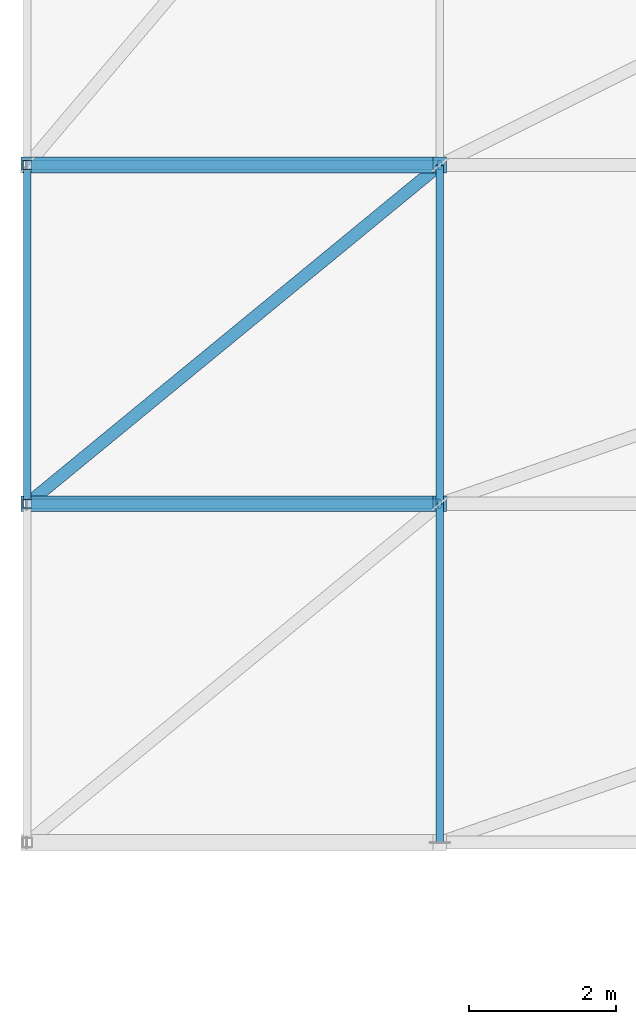
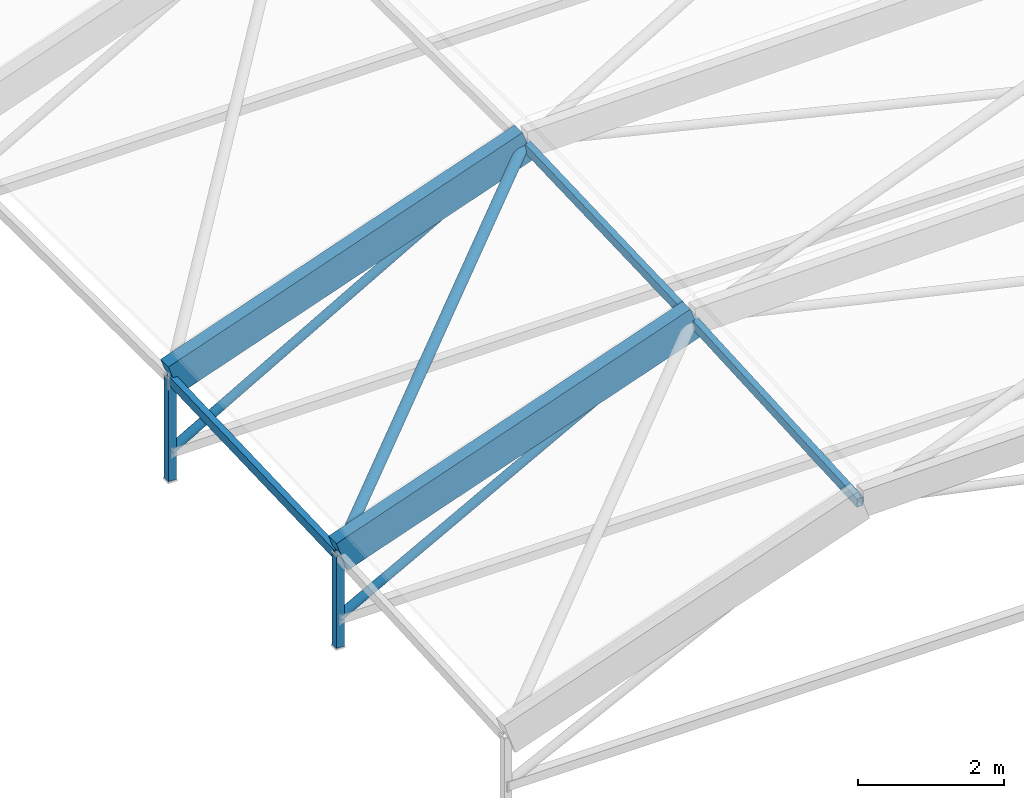
# One storey, part 30 of 134: 10 members.
"""IFC4 building model written with IfcOpenShell, lengths in metres."""

from ifc_helpers import new_model, si_unit, direction, frame, origin, origin_2d, place, context, subcontext, project, spatial, rectangle, hollow_rectangle, hollow_circle, extrude, material, material_profile, profile_set, type_object, element, save


model = new_model("IFC4")

# Units and contexts
model_context = context("Model", 3, precision=1e-05, world=origin(), true_north=direction((0.0, 1.0)))
body_context = subcontext(model_context, "Body", "Model", "MODEL_VIEW")
ifc_project = project(units=[si_unit("LENGTHUNIT", "METRE"), si_unit("AREAUNIT", "SQUARE_METRE"), si_unit("VOLUMEUNIT", "CUBIC_METRE"), si_unit("PLANEANGLEUNIT", "RADIAN"), si_unit("MASSUNIT", "GRAM", prefix="KILO")], contexts=[model_context])

# Site, building, storey
site_placement = place(None, origin())
site = spatial("IfcSite", under=ifc_project, at=site_placement, CompositionType="ELEMENT")
building_placement = place(site_placement, origin())
building = spatial("IfcBuilding", under=site, at=building_placement, Name="Karori Crest Natural Sciences Institute", CompositionType="ELEMENT")
storey_placement = place(building_placement, frame((0.0, 0.0, 21.699951171875)))
storey = spatial("IfcBuildingStorey", under=building, at=storey_placement, Name="L05", CompositionType="ELEMENT", Elevation=21.699951171875)

# Members
ifc_material_1 = material(Name="Hollow structural steel AS/NZS 1163 Grade C350", Category="steel")
ifc_material_profile_1 = material_profile(ifc_material_1, hollow_circle(Radius=0.084228515625, WallThickness=0.007080078125, at=origin_2d()), Name="CHS168.3x7.1")
ifc_profile_set_1 = profile_set([ifc_material_profile_1], Name="Hollow structural steel AS/NZS 1163 Grade C350")
member_type_1 = type_object("IfcMemberType", Name="MT-03", PredefinedType="BRACE", material=ifc_profile_set_1)
member_1_placement = place(storey_placement, frame((1.800048828125, 35.800048828125, 1.166748046875), z_axis=(0.741526696798, 0.609107751422, 0.281293272391), x_axis=(-0.634737268073, 0.772728024935, 0.0)))
element("IfcMember", 1, at=member_1_placement, inside=storey, type_object=member_type_1, Name="Diagonal Brace M-0373", PredefinedType="BRACE", context=body_context, shape_type="SweptSolid", body=[
    extrude(hollow_circle(Radius=0.084228515625, WallThickness=0.007080078125, at=origin_2d()), origin(), (0.0, 0.0, 1.0), 7.5517578125),
])
ifc_material_profile_2 = material_profile(ifc_material_1, hollow_rectangle(XDim=0.10009765625, YDim=0.14990234375, WallThickness=0.006103515625, at=origin_2d()), Name="RHS150x100x6")
ifc_profile_set_2 = profile_set([ifc_material_profile_2], Name="Hollow structural steel AS/NZS 1163 Grade C350")
member_type_2 = type_object("IfcMemberType", Name="MT-11", PredefinedType="PURLIN", material=ifc_profile_set_2)
member_2_placement = place(storey_placement, frame((7.39990234375, 31.199951171875, 2.869384765625), z_axis=(0.0, 0.998447936655, 0.055693067691), x_axis=(-1.0, 0.0, 0.0)))
element("IfcMember", 2, at=member_2_placement, inside=storey, type_object=member_type_2, Name="Member M-0360", PredefinedType="PURLIN", context=body_context, shape_type="SweptSolid", body=[
    extrude(hollow_rectangle(XDim=0.10009765625, YDim=0.14990234375, WallThickness=0.006103515625, at=origin_2d()), origin(), (0.0, 0.0, 1.0), 4.607177734375),
])
for number, where, z_axis, x_axis, name in (
    (3, (1.800048828125, 35.800048828125, 1.166748046875), (0.0, 0.999356962296, 0.03585612794), (-1.0, 0.0, 0.0), "Member M-0372"),
    (4, (7.39990234375, 35.800048828125, 3.1259765625), (0.0, 0.999356962296, 0.03585612794), (-1.0, 0.0, 0.0), "Member M-0376"),
):
    element("IfcMember", number, at=place(storey_placement, frame(where, z_axis=z_axis, x_axis=x_axis)), inside=storey, type_object=member_type_2, Name=name, PredefinedType="PURLIN", context=body_context, shape_type="SweptSolid", body=[
        extrude(hollow_rectangle(XDim=0.10009765625, YDim=0.14990234375, WallThickness=0.006103515625, at=origin_2d()), origin(), (0.0, 0.0, 1.0), 4.602783203125),
    ])
ifc_material_2 = material(Name="Glulam GL12", Category="wood")
ifc_material_profile_3 = material_profile(ifc_material_2, rectangle(XDim=0.215087890625, YDim=0.5400390625, at=origin_2d()), Name="GL215x540")
ifc_profile_set_3 = profile_set([ifc_material_profile_3], Name="Glulam GL12")
member_type_3 = type_object("IfcMemberType", Name="MT-16", PredefinedType="USERDEFINED", material=ifc_profile_set_3)
for number, where, z_axis, x_axis, name in (
    (5, (1.800048828125, 35.800048828125, 1.186767578125), (0.943896202388, 0.0, 0.330242273365), (0.0, 1.0, 0.0), "Member M-0370"),
    (6, (1.800048828125, 40.39990234375, 1.351806640625), (0.943896202388, 0.0, 0.330242273365), (0.0, 1.0, 0.0), "Member M-0386"),
):
    element("IfcMember", number, at=place(storey_placement, frame(where, z_axis=z_axis, x_axis=x_axis)), inside=storey, type_object=member_type_3, Name=name, ObjectType="ARCH_SEGMENT", PredefinedType="USERDEFINED", context=body_context, shape_type="SweptSolid", body=[
        extrude(rectangle(XDim=0.215087890625, YDim=0.5400390625, at=origin_2d()), origin(), (0.0, 0.0, 1.0), 5.9326171875),
    ])
ifc_material_profile_4 = material_profile(ifc_material_1, hollow_circle(Radius=0.06982421875, WallThickness=0.00634765625, at=origin_2d()), Name="CHS139.7x6.4")
ifc_profile_set_4 = profile_set([ifc_material_profile_4], Name="Hollow structural steel AS/NZS 1163 Grade C350")
member_type_4 = type_object("IfcMemberType", Name="MT-18-IL", PredefinedType="STRUT", material=ifc_profile_set_4)
member_3_placement = place(storey_placement, frame((1.800048828125, 35.800048828125, 0.1201171875), z_axis=(0.879776755062, 0.0, 0.475387064666), x_axis=(0.0, 1.0, 0.0)))
element("IfcMember", 7, at=member_3_placement, inside=storey, type_object=member_type_4, Name="Member M-0371", PredefinedType="STRUT", context=body_context, shape_type="SweptSolid", body=[
    extrude(hollow_circle(Radius=0.06982421875, WallThickness=0.00634765625, at=origin_2d()), origin(), (0.0, 0.0, 1.0), 6.364990234375),
])
member_4_placement = place(storey_placement, frame((1.800048828125, 40.39990234375, 0.1201171875), z_axis=(0.868843915402, 0.0, 0.495086104299), x_axis=(0.0, 1.0, 0.0)))
element("IfcMember", 8, at=member_4_placement, inside=storey, type_object=member_type_4, Name="Member M-0387", PredefinedType="STRUT", context=body_context, shape_type="SweptSolid", body=[
    extrude(hollow_circle(Radius=0.06982421875, WallThickness=0.00634765625, at=origin_2d()), origin(), (0.0, 0.0, 1.0), 6.445068359375),
])
ifc_material_profile_5 = material_profile(ifc_material_1, hollow_rectangle(XDim=0.125, YDim=0.125, WallThickness=0.006103515625, at=origin_2d()), Name="SHS125x125x6")
ifc_profile_set_5 = profile_set([ifc_material_profile_5], Name="Hollow structural steel AS/NZS 1163 Grade C350")
member_type_5 = type_object("IfcMemberType", Name="MT-20", PredefinedType="STRUT", material=ifc_profile_set_5)
member_5_placement = place(storey_placement, frame((1.800048828125, 35.800048828125, -0.349853515625), z_axis=(0.0, 0.0, 1.0), x_axis=(1.0, 0.0, 0.0)))
element("IfcMember", 9, at=member_5_placement, inside=storey, type_object=member_type_5, Name="Member M-0367", PredefinedType="STRUT", context=body_context, shape_type="SweptSolid", body=[
    extrude(hollow_rectangle(XDim=0.125, YDim=0.125, WallThickness=0.006103515625, at=origin_2d()), origin(), (0.0, 0.0, 1.0), 1.53662109375),
])
member_6_placement = place(storey_placement, frame((1.800048828125, 40.39990234375, -0.349853515625), z_axis=(0.0, 0.0, 1.0), x_axis=(1.0, 0.0, 0.0)))
element("IfcMember", 10, at=member_6_placement, inside=storey, type_object=member_type_5, Name="Member M-0383", PredefinedType="STRUT", context=body_context, shape_type="SweptSolid", body=[
    extrude(hollow_rectangle(XDim=0.125, YDim=0.125, WallThickness=0.006103515625, at=origin_2d()), origin(), (0.0, 0.0, 1.0), 1.70166015625),
])

save(model, "model.ifc")
